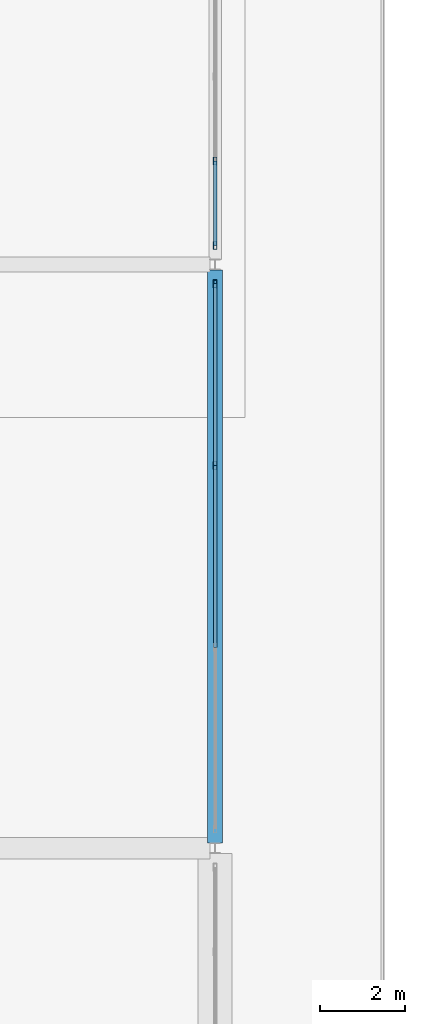
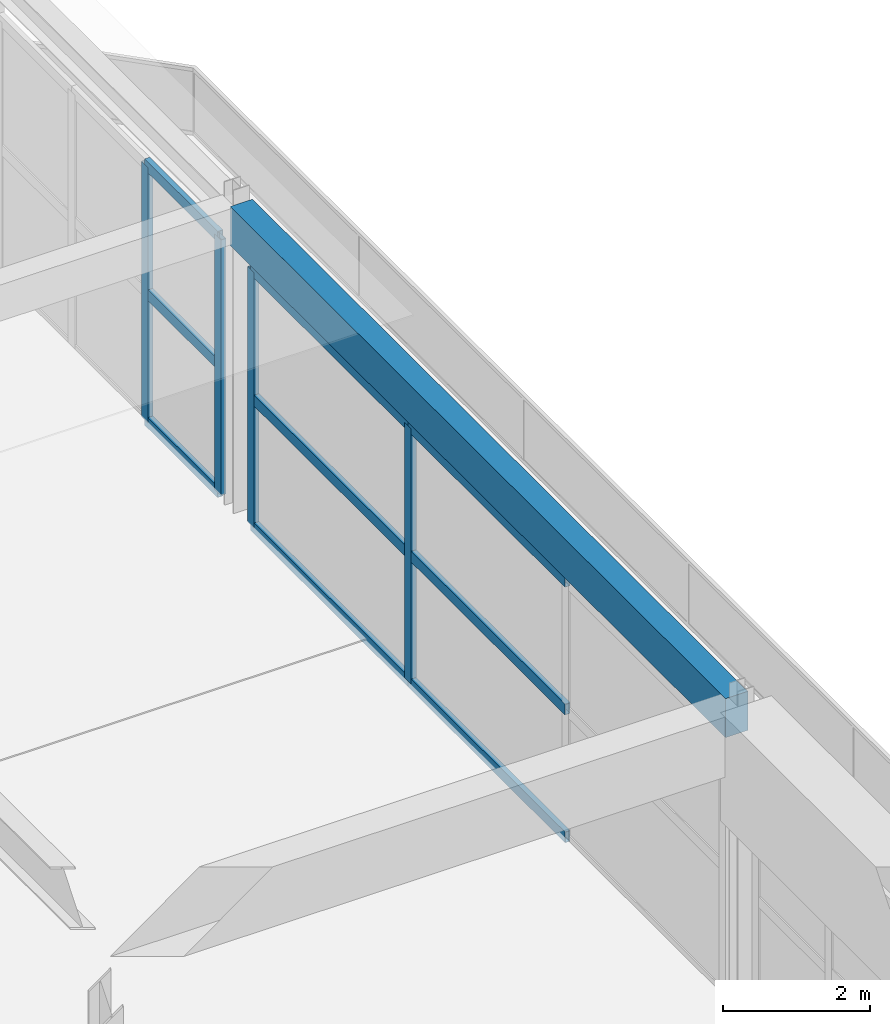
# One storey, part 53 of 117: 13 members, 1 beam, 2 elements without a shape of their own.
"""IFC4 building model written with IfcOpenShell, lengths in metres."""

from ifc_helpers import new_model, si_unit, direction, frame, origin, origin_2d, place, context, subcontext, project, spatial, rectangle, hollow_rectangle, extrude, material, material_profile, profile_set, type_object, element, aggregate, save


model = new_model("IFC4")

# Units and contexts
model_context = context("Model", 3, precision=1e-05, world=origin(), true_north=direction((0.0, 1.0)))
body_context = subcontext(model_context, "Body", "Model", "MODEL_VIEW")
ifc_project = project(units=[si_unit("LENGTHUNIT", "METRE"), si_unit("AREAUNIT", "SQUARE_METRE"), si_unit("VOLUMEUNIT", "CUBIC_METRE"), si_unit("PLANEANGLEUNIT", "RADIAN"), si_unit("MASSUNIT", "GRAM", prefix="KILO")], contexts=[model_context])

# Site, building, storey
site_placement = place(None, origin())
site = spatial("IfcSite", under=ifc_project, at=site_placement, CompositionType="ELEMENT")
building_placement = place(site_placement, origin())
building = spatial("IfcBuilding", under=site, at=building_placement, Name="Linyun Crest Stadium", CompositionType="ELEMENT")
storey_placement = place(building_placement, frame((0.0, 0.0, 6.0)))
storey = spatial("IfcBuildingStorey", under=building, at=storey_placement, Name="L02", CompositionType="ELEMENT", Elevation=6.0)

# Beam
ifc_material_1 = material(Name="Concrete C40", Category="concrete")
ifc_material_profile_1 = material_profile(ifc_material_1, rectangle(XDim=0.35009765625, YDim=0.64990234375, at=origin_2d()), Name="RCB 650x350")
ifc_profile_set_1 = profile_set([ifc_material_profile_1], Name="Concrete C40")
beam_type = type_object("IfcBeamType", Name="B02", PredefinedType="BEAM", material=ifc_profile_set_1)
beam_placement = place(storey_placement, frame((94.0, -87.125, 4.824951171875), z_axis=(0.0, 1.0, 0.0), x_axis=(-1.0, 0.0, 0.0)))
element("IfcBeam", 1, at=beam_placement, inside=storey, type_object=beam_type, Name="Frame beam B02 L02 1120", PredefinedType="BEAM", context=body_context, shape_type="SweptSolid", body=[
    extrude(rectangle(XDim=0.35009765625, YDim=0.64990234375, at=origin_2d()), origin(), (0.0, 0.0, 1.0), 13.5),
])

# Curtain wall, members
ifc_material_2 = material(Name="Verdigris steel and low-E curtain wall assembly", Category="steel")
curtain_wall_type = type_object("IfcCurtainWallType", Name="MCW05", PredefinedType="NOTDEFINED", material=ifc_material_2)
curtain_wall_1_placement = place(storey_placement, origin())
curtain_wall_1 = element("IfcCurtainWall", 2, at=curtain_wall_1_placement, inside=storey, type_object=curtain_wall_type, Name="CWR-165", PredefinedType="NOTDEFINED")
ifc_material_3 = material(Name="Verdigris painted steel Q355B mullion", Category="steel")
ifc_material_profile_2 = material_profile(ifc_material_3, hollow_rectangle(XDim=0.080078125, YDim=0.179931640625, WallThickness=0.006103515625, at=origin_2d()), Name="RHS 180x80x6")
ifc_profile_set_2 = profile_set([ifc_material_profile_2], Name="Verdigris painted steel Q355B mullion")
member_type_1 = type_object("IfcMemberType", Name="ML02", PredefinedType="MULLION", material=ifc_profile_set_2)
member_1_placement = place(storey_placement, frame((94.0, -78.23291015625, 0.0), z_axis=(0.0, 0.0, 1.0), x_axis=(-1.0, 0.0, 0.0)))
member_1 = element("IfcMember", 3, at=member_1_placement, type_object=member_type_1, Name="CWR-165 mullion 3", PredefinedType="MULLION", context=body_context, shape_type="SweptSolid", body=[
    extrude(hollow_rectangle(XDim=0.080078125, YDim=0.179931640625, WallThickness=0.006103515625, at=origin_2d()), origin(), (0.0, 0.0, 1.0), 4.25),
])
member_2_placement = place(storey_placement, frame((94.0, -73.949951171875, 0.0), z_axis=(0.0, 0.0, 1.0), x_axis=(-1.0, 0.0, 0.0)))
member_2 = element("IfcMember", 4, at=member_2_placement, type_object=member_type_1, Name="CWR-165 mullion 4", PredefinedType="MULLION", context=body_context, shape_type="SweptSolid", body=[
    extrude(hollow_rectangle(XDim=0.080078125, YDim=0.179931640625, WallThickness=0.006103515625, at=origin_2d()), origin(), (0.0, 0.0, 1.0), 4.25),
])

curtain_wall_2_placement = place(storey_placement, origin())
curtain_wall_2 = element("IfcCurtainWall", 5, at=curtain_wall_2_placement, inside=storey, type_object=curtain_wall_type, Name="CWR-166", PredefinedType="NOTDEFINED")
member_3_placement = place(storey_placement, frame((94.0, -73.050048828125, 0.0), z_axis=(0.0, 0.0, 1.0), x_axis=(-1.0, 0.0, 0.0)))
member_3 = element("IfcMember", 6, at=member_3_placement, type_object=member_type_1, Name="CWR-166 mullion 1", PredefinedType="MULLION", context=body_context, shape_type="SweptSolid", body=[
    extrude(hollow_rectangle(XDim=0.080078125, YDim=0.179931640625, WallThickness=0.006103515625, at=origin_2d()), origin(), (0.0, 0.0, 1.0), 4.25),
])
member_4_placement = place(storey_placement, frame((94.0, -71.05810546875, 0.0), z_axis=(0.0, 0.0, 1.0), x_axis=(-1.0, 0.0, 0.0)))
member_4 = element("IfcMember", 7, at=member_4_placement, type_object=member_type_1, Name="CWR-166 mullion 2", PredefinedType="MULLION", context=body_context, shape_type="SweptSolid", body=[
    extrude(hollow_rectangle(XDim=0.080078125, YDim=0.179931640625, WallThickness=0.006103515625, at=origin_2d()), origin(), (0.0, 0.0, 1.0), 4.25),
])

# Member
ifc_material_4 = material(Name="Verdigris painted steel Q355B transom", Category="steel")
ifc_material_profile_3 = material_profile(ifc_material_4, hollow_rectangle(XDim=0.080078125, YDim=0.179931640625, WallThickness=0.006103515625, at=origin_2d()), Name="RHS 180x80x6")
ifc_profile_set_3 = profile_set([ifc_material_profile_3], Name="Verdigris painted steel Q355B transom")
member_type_2 = type_object("IfcMemberType", Name="TR02", PredefinedType="USERDEFINED", material=ifc_profile_set_3)
member_5_placement = place(storey_placement, frame((94.0, -82.51708984375, 0.0), z_axis=(0.0, 1.0, 0.0), x_axis=(-1.0, 0.0, 0.0)))
member_5 = element("IfcMember", 8, at=member_5_placement, type_object=member_type_2, Name="CWR-165 transom 2.1", ObjectType="TRANSOM", PredefinedType="USERDEFINED", context=body_context, shape_type="SweptSolid", body=[
    extrude(hollow_rectangle(XDim=0.080078125, YDim=0.179931640625, WallThickness=0.006103515625, at=origin_2d()), origin(), (0.0, 0.0, 1.0), 4.2841796875),
])

member_6_placement = place(storey_placement, frame((94.0, -82.51708984375, 2.125), z_axis=(0.0, 1.0, 0.0), x_axis=(-1.0, 0.0, 0.0)))
member_6 = element("IfcMember", 9, at=member_6_placement, type_object=member_type_2, Name="CWR-165 transom 2.2", ObjectType="TRANSOM", PredefinedType="USERDEFINED", context=body_context, shape_type="SweptSolid", body=[
    extrude(hollow_rectangle(XDim=0.080078125, YDim=0.179931640625, WallThickness=0.006103515625, at=origin_2d()), origin(), (0.0, 0.0, 1.0), 4.2841796875),
])

member_7_placement = place(storey_placement, frame((94.0, -82.51708984375, 4.25), z_axis=(0.0, 1.0, 0.0), x_axis=(-1.0, 0.0, 0.0)))
member_7 = element("IfcMember", 10, at=member_7_placement, type_object=member_type_2, Name="CWR-165 transom 2.3", ObjectType="TRANSOM", PredefinedType="USERDEFINED", context=body_context, shape_type="SweptSolid", body=[
    extrude(hollow_rectangle(XDim=0.080078125, YDim=0.179931640625, WallThickness=0.006103515625, at=origin_2d()), origin(), (0.0, 0.0, 1.0), 4.2841796875),
])

member_8_placement = place(storey_placement, frame((94.0, -78.23291015625, 0.0), z_axis=(0.0, 1.0, 0.0), x_axis=(-1.0, 0.0, 0.0)))
member_8 = element("IfcMember", 11, at=member_8_placement, type_object=member_type_2, Name="CWR-165 transom 3.1", ObjectType="TRANSOM", PredefinedType="USERDEFINED", context=body_context, shape_type="SweptSolid", body=[
    extrude(hollow_rectangle(XDim=0.080078125, YDim=0.179931640625, WallThickness=0.006103515625, at=origin_2d()), origin(), (0.0, 0.0, 1.0), 4.282958984375),
])

member_9_placement = place(storey_placement, frame((94.0, -78.23291015625, 2.125), z_axis=(0.0, 1.0, 0.0), x_axis=(-1.0, 0.0, 0.0)))
member_9 = element("IfcMember", 12, at=member_9_placement, type_object=member_type_2, Name="CWR-165 transom 3.2", ObjectType="TRANSOM", PredefinedType="USERDEFINED", context=body_context, shape_type="SweptSolid", body=[
    extrude(hollow_rectangle(XDim=0.080078125, YDim=0.179931640625, WallThickness=0.006103515625, at=origin_2d()), origin(), (0.0, 0.0, 1.0), 4.282958984375),
])

member_10_placement = place(storey_placement, frame((94.0, -78.23291015625, 4.25), z_axis=(0.0, 1.0, 0.0), x_axis=(-1.0, 0.0, 0.0)))
member_10 = element("IfcMember", 13, at=member_10_placement, type_object=member_type_2, Name="CWR-165 transom 3.3", ObjectType="TRANSOM", PredefinedType="USERDEFINED", context=body_context, shape_type="SweptSolid", body=[
    extrude(hollow_rectangle(XDim=0.080078125, YDim=0.179931640625, WallThickness=0.006103515625, at=origin_2d()), origin(), (0.0, 0.0, 1.0), 4.282958984375),
])

aggregate(curtain_wall_1, [member_1, member_2, member_5, member_6, member_7, member_8, member_9, member_10])

member_11_placement = place(storey_placement, frame((94.0, -73.050048828125, 0.0), z_axis=(0.0, 1.0, 0.0), x_axis=(-1.0, 0.0, 0.0)))
member_11 = element("IfcMember", 14, at=member_11_placement, type_object=member_type_2, Name="CWR-166 transom 1.1", ObjectType="TRANSOM", PredefinedType="USERDEFINED", context=body_context, shape_type="SweptSolid", body=[
    extrude(hollow_rectangle(XDim=0.080078125, YDim=0.179931640625, WallThickness=0.006103515625, at=origin_2d()), origin(), (0.0, 0.0, 1.0), 1.991943359375),
])

member_12_placement = place(storey_placement, frame((94.0, -73.050048828125, 2.125), z_axis=(0.0, 1.0, 0.0), x_axis=(-1.0, 0.0, 0.0)))
member_12 = element("IfcMember", 15, at=member_12_placement, type_object=member_type_2, Name="CWR-166 transom 1.2", ObjectType="TRANSOM", PredefinedType="USERDEFINED", context=body_context, shape_type="SweptSolid", body=[
    extrude(hollow_rectangle(XDim=0.080078125, YDim=0.179931640625, WallThickness=0.006103515625, at=origin_2d()), origin(), (0.0, 0.0, 1.0), 1.991943359375),
])

member_13_placement = place(storey_placement, frame((94.0, -73.050048828125, 4.25), z_axis=(0.0, 1.0, 0.0), x_axis=(-1.0, 0.0, 0.0)))
member_13 = element("IfcMember", 16, at=member_13_placement, type_object=member_type_2, Name="CWR-166 transom 1.3", ObjectType="TRANSOM", PredefinedType="USERDEFINED", context=body_context, shape_type="SweptSolid", body=[
    extrude(hollow_rectangle(XDim=0.080078125, YDim=0.179931640625, WallThickness=0.006103515625, at=origin_2d()), origin(), (0.0, 0.0, 1.0), 1.991943359375),
])

aggregate(curtain_wall_2, [member_3, member_4, member_11, member_12, member_13])

save(model, "model.ifc")
